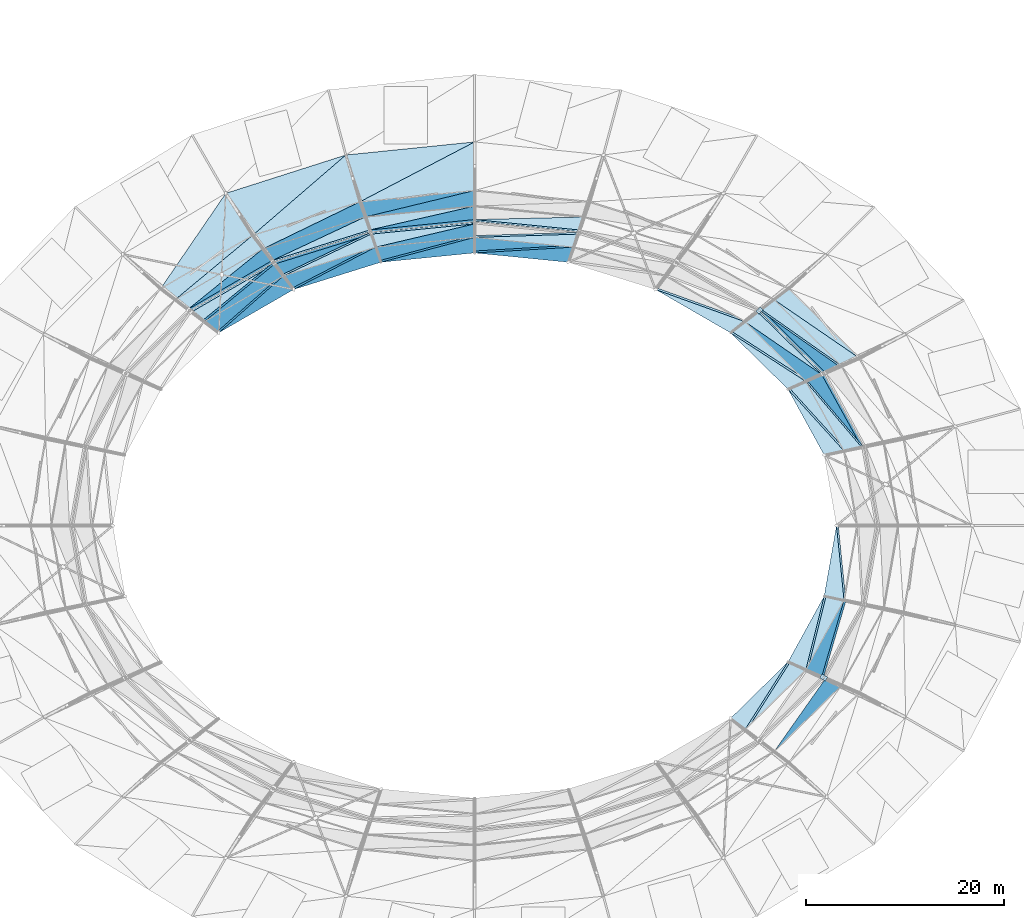
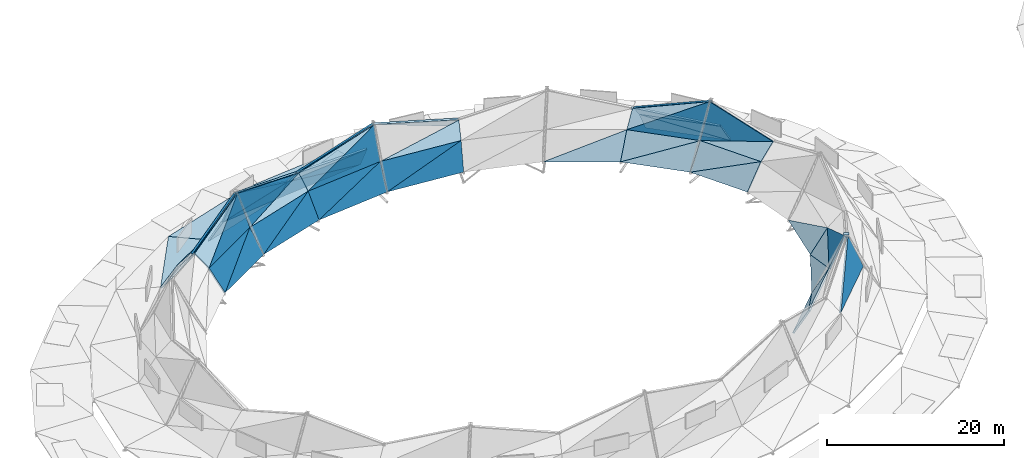
# One storey, part 29 of 36: 53 slabs, 2 plates.
"""IFC4 building model written with IfcOpenShell, lengths in metres."""

from ifc_helpers import new_model, si_unit, direction, frame, origin, origin_2d, place, context, subcontext, project, spatial, polyline, rectangle, outline, extrude, material, layer, layer_set, type_object, element, save


model = new_model("IFC4")

# Units and contexts
model_context = context("Model", 3, precision=1e-05, world=origin(), true_north=direction((0.0, 1.0)))
body_context = subcontext(model_context, "Body", "Model", "MODEL_VIEW")
ifc_project = project(units=[si_unit("LENGTHUNIT", "METRE"), si_unit("AREAUNIT", "SQUARE_METRE"), si_unit("VOLUMEUNIT", "CUBIC_METRE"), si_unit("PLANEANGLEUNIT", "RADIAN"), si_unit("MASSUNIT", "GRAM", prefix="KILO")], contexts=[model_context])

# Site, building, storey
site_placement = place(None, origin())
site = spatial("IfcSite", under=ifc_project, at=site_placement, CompositionType="ELEMENT")
building_placement = place(site_placement, origin())
building = spatial("IfcBuilding", under=site, at=building_placement, Name="Kildeholm Park Wholesale Market", CompositionType="ELEMENT")
storey_placement = place(building_placement, frame((0.0, 0.0, 17.39990234375)))
storey = spatial("IfcBuildingStorey", under=building, at=storey_placement, Name="Roof", CompositionType="ELEMENT", Elevation=17.39990234375)

# Slabs
ifc_material_1 = material(Name="Concrete C35/45", Category="concrete")
ifc_layer_1 = layer(ifc_material_1, 0.219970703125)
ifc_layer_set_1 = layer_set([ifc_layer_1], Name="Concrete C35/45")
slab_type = type_object("IfcSlabType", Name="Slab S-RF2 220 mm", PredefinedType="ROOF", material=ifc_layer_set_1)
slab_1_placement = place(storey_placement, frame((138.048095703125, 97.388916015625, 1.968994140625), z_axis=(-0.759743439922, -0.540192723987, 0.361913976583), x_axis=(-0.462525121936, 0.840188371056, 0.283114840164)))
element("IfcSlab", 1, at=slab_1_placement, inside=storey, type_object=slab_type, Name="Arched gable roof facet 2-UIA SLB-0033", PredefinedType="ROOF", context=body_context, shape_type="SweptSolid", body=[
    extrude(outline(polyline([(0.0, 0.0), (8.745829845295708, 0.0), (7.651609461909472, 4.599549733432193), (0.0, 0.0)])), origin(), (0.0, 0.0, -1.0), 0.219970703125),
])
slab_2_placement = place(storey_placement, frame((138.048095703125, 97.388916015625, 1.968994140625), z_axis=(-0.648844886788, -0.356523570897, 0.672228574433), x_axis=(-0.631869695958, 0.744674270346, -0.214943989017)))
element("IfcSlab", 2, at=slab_2_placement, inside=storey, type_object=slab_type, Name="Arched gable roof facet 2-UIB SLB-0034", PredefinedType="ROOF", context=body_context, shape_type="SweptSolid", body=[
    extrude(outline(polyline([(0.0, 0.0), (8.927652833074252, -1.5543122344752192e-15), (1.271231462348896, 2.3229461798968103), (0.0, 0.0)])), origin(), (0.0, 0.0, -1.0), 0.219970703125),
])
slab_3_placement = place(storey_placement, frame((136.260009765625, 97.02490234375, 0.050048828125), z_axis=(-0.751123464895, -0.412723017999, 0.515240963917), x_axis=(-0.481564964074, 0.876410397803, 0.0)))
element("IfcSlab", 3, at=slab_3_placement, inside=storey, type_object=slab_type, Name="Arched gable roof facet 2-LIA SLB-0035", PredefinedType="ROOF", context=body_context, shape_type="SweptSolid", body=[
    extrude(outline(polyline([(0.0, 0.0), (8.001054128100693, 0.0), (8.176535332462484, 3.7920980051620017), (0.0, 0.0)])), origin(), (0.0, 0.0, -1.0), 0.219970703125),
])
slab_4_placement = place(storey_placement, frame((136.260009765625, 97.02490234375, 0.050048828125), z_axis=(-0.751213217438, -0.412980607002, 0.51490360281), x_axis=(-0.626855409458, 0.690673201554, -0.360586777751)))
element("IfcSlab", 4, at=slab_4_placement, inside=storey, type_object=slab_type, Name="Arched gable roof facet 2-LIB SLB-0036", PredefinedType="ROOF", context=body_context, shape_type="SweptSolid", body=[
    extrude(outline(polyline([(0.0, 0.0), (9.013087003006294, -4.440892098500626e-16), (2.146974648256122, 3.1834375775645114), (0.0, 0.0)])), origin(), (0.0, 0.0, -1.0), 0.219970703125),
])
slab_5_placement = place(storey_placement, frame((137.798095703125, 106.39990234375, -3.0498046875), z_axis=(0.604261591817, 0.614630477949, 0.50704763507), x_axis=(-0.713096204455, 0.701066190307, 0.0)))
element("IfcSlab", 5, at=slab_5_placement, inside=storey, type_object=slab_type, Name="Arched gable roof facet 3-LOA SLB-0041", PredefinedType="ROOF", context=body_context, shape_type="SweptSolid", body=[
    extrude(outline(polyline([(0.0, 0.0), (9.984791873831568, 4.440892098500626e-16), (10.25063231597354, 3.596459752098284), (0.0, 0.0)])), origin(), (0.0, 0.0, -1.0), 0.219970703125),
])
slab_6_placement = place(storey_placement, frame((137.798095703125, 106.39990234375, -3.0498046875), z_axis=(0.604331186978, 0.615032792953, 0.506476534538), x_axis=(-0.790568438229, 0.541826036253, 0.285352572994)))
element("IfcSlab", 6, at=slab_6_placement, inside=storey, type_object=slab_type, Name="Arched gable roof facet 3-LOB SLB-0042", PredefinedType="ROOF", context=body_context, shape_type="SweptSolid", body=[
    extrude(outline(polyline([(0.0, 0.0), (10.863240107156974, 8.881784197001252e-16), (1.8789527778962205, 3.150781233192414), (0.0, 0.0)])), origin(), (0.0, 0.0, -1.0), 0.219970703125),
])
slab_7_placement = place(storey_placement, frame((136.0009765625, 105.613037109375, 0.050048828125), z_axis=(0.534563797385, 0.544029949805, 0.646740257167), x_axis=(-0.713285151676, 0.700873949008, 0.0)))
element("IfcSlab", 7, at=slab_7_placement, inside=storey, type_object=slab_type, Name="Arched gable roof facet 3-UOA SLB-0043", PredefinedType="ROOF", context=body_context, shape_type="SweptSolid", body=[
    extrude(outline(polyline([(0.0, 0.0), (9.52075843586806, -4.440892098500626e-16), (9.754790050993831, 2.4820254090789966), (0.0, 0.0)])), origin(), (0.0, 0.0, -1.0), 0.219970703125),
])
slab_8_placement = place(storey_placement, frame((136.0009765625, 105.613037109375, 0.050048828125), z_axis=(0.593824120531, 0.732754112899, 0.332331647461), x_axis=(-0.803032585481, 0.565479693667, 0.188072812245)))
element("IfcSlab", 8, at=slab_8_placement, inside=storey, type_object=slab_type, Name="Arched gable roof facet 3-UOB SLB-0044", PredefinedType="ROOF", context=body_context, shape_type="SweptSolid", body=[
    extrude(outline(polyline([(0.0, 0.0), (10.065603760842269, 4.440892098500626e-16), (1.7123731678691938, 4.406921162409841), (0.0, 0.0)])), origin(), (0.0, 0.0, -1.0), 0.219970703125),
])
slab_9_placement = place(storey_placement, frame((134.0029296875, 104.737060546875, 4.445068359375), z_axis=(-0.645905319156, -0.401811894131, 0.649117493541), x_axis=(-0.688375568366, 0.67416771811, -0.267650826142)))
element("IfcSlab", 9, at=slab_9_placement, inside=storey, type_object=slab_type, Name="Arched gable roof facet 3-UIA SLB-0045", PredefinedType="ROOF", context=body_context, shape_type="SweptSolid", body=[
    extrude(outline(polyline([(0.0, 0.0), (9.34782515364055, 0.0), (10.082720294728745, 2.382389761345119), (0.0, 0.0)])), origin(), (0.0, 0.0, -1.0), 0.219970703125),
])
slab_10_placement = place(storey_placement, frame((134.0029296875, 104.737060546875, 4.445068359375), z_axis=(-0.657546507773, -0.669571220894, 0.345408410822), x_axis=(-0.745828509274, 0.513596599041, -0.424215002337)))
element("IfcSlab", 10, at=slab_10_placement, inside=storey, type_object=slab_type, Name="Arched gable roof facet 3-UIB SLB-0046", PredefinedType="ROOF", context=body_context, shape_type="SweptSolid", body=[
    extrude(outline(polyline([(0.0, 0.0), (10.360358561203224, 0.0), (2.6952436493512173, 3.884435308814655), (0.0, 0.0)])), origin(), (0.0, 0.0, -1.0), 0.219970703125),
])
slab_11_placement = place(storey_placement, frame((132.406982421875, 104.037109375, 0.050048828125), z_axis=(-0.611189213143, -0.622366179128, 0.488986794111), x_axis=(-0.713484428473, 0.700671085693, 0.0)))
element("IfcSlab", 11, at=slab_11_placement, inside=storey, type_object=slab_type, Name="Arched gable roof facet 3-LIA SLB-0047", PredefinedType="ROOF", context=body_context, shape_type="SweptSolid", body=[
    extrude(outline(polyline([(0.0, 0.0), (8.593184757717129, 0.0), (8.859848567920526, 3.7258200562672688), (0.0, 0.0)])), origin(), (0.0, 0.0, -1.0), 0.219970703125),
])
slab_12_placement = place(storey_placement, frame((132.406982421875, 104.037109375, 0.050048828125), z_axis=(-0.611202955648, -0.622574417163, 0.488704452712), x_axis=(-0.790510760348, 0.510640333385, -0.33814078088)))
element("IfcSlab", 12, at=slab_12_placement, inside=storey, type_object=slab_type, Name="Arched gable roof facet 3-LIB SLB-0048", PredefinedType="ROOF", context=body_context, shape_type="SweptSolid", body=[
    extrude(outline(polyline([(0.0, 0.0), (9.611381364724158, 4.440892098500626e-16), (2.117476766699013, 3.1507289753845518), (0.0, 0.0)])), origin(), (0.0, 0.0, -1.0), 0.219970703125),
])
slab_13_placement = place(storey_placement, frame((126.27587890625, 110.05810546875, 0.050048828125), z_axis=(-0.443676368098, -0.767307585826, 0.463023054636), x_axis=(-0.890894436179, 0.321560599307, -0.320789470771)))
element("IfcSlab", 13, at=slab_13_placement, inside=storey, type_object=slab_type, Name="Arched gable roof facet 4-LIB SLB-0060", PredefinedType="ROOF", context=body_context, shape_type="SweptSolid", body=[
    extrude(outline(polyline([(0.0, 0.0), (10.131255219144613, 0.0), (1.9914180750086374, 3.160237131907116), (0.0, 0.0)])), origin(), (0.0, 0.0, -1.0), 0.219970703125),
])
slab_14_placement = place(storey_placement, frame((110.05810546875, 120.626953125, 0.050048828125), z_axis=(0.212886979308, 0.771718054416, 0.599274877272), x_axis=(-0.932959131402, -0.021668940836, 0.359329536966)))
element("IfcSlab", 14, at=slab_14_placement, inside=storey, type_object=slab_type, Name="Arched gable roof facet 6-UOB SLB-0080", PredefinedType="ROOF", context=body_context, shape_type="SweptSolid", body=[
    extrude(outline(polyline([(0.0, 0.0), (11.852722264615474, 0.0), (1.1287202164394903, 2.0288163988155743), (0.0, 0.0)])), origin(), (0.0, 0.0, -1.0), 0.219970703125),
])
slab_15_placement = place(storey_placement, frame((109.447998046875, 118.89892578125, 1.906982421875), z_axis=(-0.079801004243, -0.803986762141, 0.589268263208), x_axis=(-0.984111911654, -0.030515632825, -0.174907236828)))
element("IfcSlab", 15, at=slab_15_placement, inside=storey, type_object=slab_type, Name="Arched gable roof facet 6-UIB SLB-0082", PredefinedType="ROOF", context=body_context, shape_type="SweptSolid", body=[
    extrude(outline(polyline([(0.0, 0.0), (10.616676744943344, 2.220446049250313e-16), (0.8216548793364681, 2.17199352154295), (0.0, 0.0)])), origin(), (0.0, 0.0, -1.0), 0.219970703125),
])
slab_16_placement = place(storey_placement, frame((108.98388671875, 117.583984375, 0.050048828125), z_axis=(-0.088967003998, -0.896333249935, 0.434363416116), x_axis=(-0.995110163253, 0.098771266021, 0.0)))
element("IfcSlab", 16, at=slab_16_placement, inside=storey, type_object=slab_type, Name="Arched gable roof facet 6-LIA SLB-0083", PredefinedType="ROOF", context=body_context, shape_type="SweptSolid", body=[
    extrude(outline(polyline([(0.0, 0.0), (10.03294618770286, 5.551115123125783e-17), (9.877386266536291, 3.608153586630853), (0.0, 0.0)])), origin(), (0.0, 0.0, -1.0), 0.219970703125),
])
slab_17_placement = place(storey_placement, frame((108.98388671875, 117.583984375, 0.050048828125), z_axis=(-0.088911672153, -0.896414057833, 0.434207958787), x_axis=(-0.94941992973, -0.055534124124, -0.309059473384)))
element("IfcSlab", 17, at=slab_17_placement, inside=storey, type_object=slab_type, Name="Arched gable roof facet 6-LIB SLB-0084", PredefinedType="ROOF", context=body_context, shape_type="SweptSolid", body=[
    extrude(outline(polyline([(0.0, 0.0), (10.515775376218189, -4.440892098500626e-16), (1.5986210274555035, 3.2570790914038907), (0.0, 0.0)])), origin(), (0.0, 0.0, -1.0), 0.219970703125),
])
slab_18_placement = place(storey_placement, frame((99.0, 128.199951171875, -4.199951171875), z_axis=(-0.023301376591, 0.22955867471, 0.973015858408), x_axis=(-0.994887827563, -0.100986189979, 0.0)))
element("IfcSlab", 18, at=slab_18_placement, inside=storey, type_object=slab_type, Name="Upper white ceramic rim band 2 sector 7A SLB-0087", PredefinedType="ROOF", context=body_context, shape_type="SweptSolid", body=[
    extrude(outline(polyline([(0.0, 0.0), (13.059683274744929, -2.220446049250313e-16), (12.146863832483524, 4.984637320566036), (0.0, 0.0)])), origin(), (0.0, 0.0, -1.0), 0.219970703125),
])
slab_19_placement = place(storey_placement, frame((99.0, 128.199951171875, -4.199951171875), z_axis=(-0.022700106567, 0.228458605886, 0.973288945051), x_axis=(-0.883100143021, -0.460934652377, 0.087597851763)))
element("IfcSlab", 19, at=slab_19_placement, inside=storey, type_object=slab_type, Name="Upper white ceramic rim band 2 sector 7B SLB-0088", PredefinedType="ROOF", context=body_context, shape_type="SweptSolid", body=[
    extrude(outline(polyline([(0.0, 0.0), (13.129848063952455, -7.216449660063518e-16), (2.359285144743097, 4.445858018380868), (0.0, 0.0)])), origin(), (0.0, 0.0, -1.0), 0.219970703125),
])
slab_20_placement = place(storey_placement, frame((99.0, 123.300048828125, -3.0498046875), z_axis=(-0.088245629406, 0.888122415208, 0.451055744334), x_axis=(-0.995099849345, -0.098875122419, 0.0)))
element("IfcSlab", 20, at=slab_20_placement, inside=storey, type_object=slab_type, Name="Arched gable roof facet 7-LOA SLB-0089", PredefinedType="ROOF", context=body_context, shape_type="SweptSolid", body=[
    extrude(outline(polyline([(0.0, 0.0), (11.652067589756296, 0.0), (11.268221750879924, 3.473241654045), (0.0, 0.0)])), origin(), (0.0, 0.0, -1.0), 0.219970703125),
])
slab_21_placement = place(storey_placement, frame((99.0, 123.300048828125, -3.0498046875), z_axis=(-0.088189968471, 0.888056120922, 0.451197136022), x_axis=(-0.937814056034, -0.226699476741, 0.262891885668)))
element("IfcSlab", 21, at=slab_21_placement, inside=storey, type_object=slab_type, Name="Arched gable roof facet 7-LOB SLB-0090", PredefinedType="ROOF", context=body_context, shape_type="SweptSolid", body=[
    extrude(outline(polyline([(0.0, 0.0), (11.791362474896474, 0.0), (1.1719669425754593, 3.2735388339889044), (0.0, 0.0)])), origin(), (0.0, 0.0, -1.0), 0.219970703125),
])
slab_22_placement = place(storey_placement, frame((99.0, 121.72509765625, 0.050048828125), z_axis=(-0.079860475444, 0.804179718709, 0.588996845899), x_axis=(-0.995105258288, -0.098820670548, 0.0)))
element("IfcSlab", 22, at=slab_22_placement, inside=storey, type_object=slab_type, Name="Arched gable roof facet 7-UOA SLB-0091", PredefinedType="ROOF", context=body_context, shape_type="SweptSolid", body=[
    extrude(outline(polyline([(0.0, 0.0), (11.11249827759325, -1.1102230246251565e-16), (10.78050554148026, 2.2978002807621065), (0.0, 0.0)])), origin(), (0.0, 0.0, -1.0), 0.219970703125),
])
slab_23_placement = place(storey_placement, frame((99.0, 121.72509765625, 0.050048828125), z_axis=(-0.161675292119, 0.940399716802, 0.299181337246), x_axis=(-0.9611098861, -0.218831739559, 0.168465001122)))
element("IfcSlab", 23, at=slab_23_placement, inside=storey, type_object=slab_type, Name="Arched gable roof facet 7-UOB SLB-0092", PredefinedType="ROOF", context=body_context, shape_type="SweptSolid", body=[
    extrude(outline(polyline([(0.0, 0.0), (11.022666912329203, 4.440892098500626e-16), (1.0140107663864273, 4.352828742515329), (0.0, 0.0)])), origin(), (0.0, 0.0, -1.0), 0.219970703125),
])
slab_24_placement = place(storey_placement, frame((99.0, 119.929931640625, 4.30908203125), z_axis=(-0.049781136713, -0.820918663081, 0.568871151521), x_axis=(-0.970098530219, -0.095729082676, -0.223035388219)))
element("IfcSlab", 24, at=slab_24_placement, inside=storey, type_object=slab_type, Name="Arched gable roof facet 7-UIA SLB-0093", PredefinedType="ROOF", context=body_context, shape_type="SweptSolid", body=[
    extrude(outline(polyline([(0.0, 0.0), (10.770038013067964, -2.220446049250313e-16), (10.859844335367345, 2.3204756889131652), (0.0, 0.0)])), origin(), (0.0, 0.0, -1.0), 0.219970703125),
])
slab_25_placement = place(storey_placement, frame((99.0, 119.929931640625, 4.30908203125), z_axis=(0.094164975519, -0.948702268751, 0.301822733824), x_axis=(-0.899045002925, -0.211251612293, -0.383524235243)))
element("IfcSlab", 25, at=slab_25_placement, inside=storey, type_object=slab_type, Name="Arched gable roof facet 7-UIB SLB-0094", PredefinedType="ROOF", context=body_context, shape_type="SweptSolid", body=[
    extrude(outline(polyline([(0.0, 0.0), (11.104991058584751, 0.0), (1.9196842607523337, 4.03610557778596), (0.0, 0.0)])), origin(), (0.0, 0.0, -1.0), 0.219970703125),
])
slab_26_placement = place(storey_placement, frame((99.0, 118.574951171875, 0.050048828125), z_axis=(0.088974119062, -0.896404933462, 0.434214004153), x_axis=(-0.995110163253, -0.098771266021, 0.0)))
element("IfcSlab", 26, at=slab_26_placement, inside=storey, type_object=slab_type, Name="Arched gable roof facet 7-LIA SLB-0095", PredefinedType="ROOF", context=body_context, shape_type="SweptSolid", body=[
    extrude(outline(polyline([(0.0, 0.0), (10.03294618770286, -5.551115123125783e-17), (9.648936846471212, 3.6078650505430656), (0.0, 0.0)])), origin(), (0.0, 0.0, -1.0), 0.219970703125),
])
slab_27_placement = place(storey_placement, frame((99.0, 118.574951171875, 0.050048828125), z_axis=(0.088904158013, -0.896338299716, 0.434365863241), x_axis=(-0.917062634957, -0.243846942785, -0.315491350214)))
element("IfcSlab", 27, at=slab_27_placement, inside=storey, type_object=slab_type, Name="Arched gable roof facet 7-LIB SLB-0096", PredefinedType="ROOF", context=body_context, shape_type="SweptSolid", body=[
    extrude(outline(polyline([(0.0, 0.0), (10.301391774421548, 0.0), (1.409393916494514, 3.325143603205535), (0.0, 0.0)])), origin(), (0.0, 0.0, -1.0), 0.219970703125),
])
slab_28_placement = place(storey_placement, frame((86.007080078125, 126.881103515625, -4.199951171875), z_axis=(-0.070011109766, 0.219242292525, 0.973155312207), x_axis=(-0.952608649326, -0.304198555599, 0.0)))
element("IfcSlab", 28, at=slab_28_placement, inside=storey, type_object=slab_type, Name="Upper white ceramic rim band 2 sector 8A SLB-0099", PredefinedType="ROOF", context=body_context, shape_type="SweptSolid", body=[
    extrude(outline(polyline([(0.0, 0.0), (12.709498011526277, -4.440892098500626e-16), (11.4279587137269, 4.997391134662843), (0.0, 0.0)])), origin(), (0.0, 0.0, -1.0), 0.219970703125),
])
slab_29_placement = place(storey_placement, frame((86.007080078125, 126.881103515625, -4.199951171875), z_axis=(-0.067695227666, 0.216660955365, 0.973897010249), x_axis=(-0.754196293555, -0.650142220301, 0.092211952426)))
element("IfcSlab", 29, at=slab_29_placement, inside=storey, type_object=slab_type, Name="Upper white ceramic rim band 2 sector 8B SLB-0100", PredefinedType="ROOF", context=body_context, shape_type="SweptSolid", body=[
    extrude(outline(polyline([(0.0, 0.0), (12.472856870639276, -7.494005416219807e-16), (2.1289525771393296, 4.598631261151734), (0.0, 0.0)])), origin(), (0.0, 0.0, -1.0), 0.219970703125),
])
slab_30_placement = place(storey_placement, frame((87.405029296875, 122.14794921875, -3.0498046875), z_axis=(-0.264620714116, 0.846927895908, 0.461182194793), x_axis=(-0.95449417592, -0.298229556107, 0.0)))
element("IfcSlab", 30, at=slab_30_placement, inside=storey, type_object=slab_type, Name="Arched gable roof facet 8-LOA SLB-0101", PredefinedType="ROOF", context=body_context, shape_type="SweptSolid", body=[
    extrude(outline(polyline([(0.0, 0.0), (11.320060313846767, -4.440892098500626e-16), (10.737167678309149, 3.4935584731167912), (0.0, 0.0)])), origin(), (0.0, 0.0, -1.0), 0.219970703125),
])
slab_31_placement = place(storey_placement, frame((87.405029296875, 122.14794921875, -3.0498046875), z_axis=(-0.264538763861, 0.84686512581, 0.461344449518), x_axis=(-0.865102590188, -0.419794221157, 0.274536555551)))
element("IfcSlab", 31, at=slab_31_placement, inside=storey, type_object=slab_type, Name="Arched gable roof facet 8-LOB SLB-0102", PredefinedType="ROOF", context=body_context, shape_type="SweptSolid", body=[
    extrude(outline(polyline([(0.0, 0.0), (11.291223164795426, 4.440892098500626e-16), (1.0250849726127016, 3.3406505375958693), (0.0, 0.0)])), origin(), (0.0, 0.0, -1.0), 0.219970703125),
])
slab_32_placement = place(storey_placement, frame((87.94189453125, 120.626953125, 0.050048828125), z_axis=(-0.283519655185, 0.907628450944, 0.309559687556), x_axis=(-0.954514174424, -0.298165542651, 0.0)))
element("IfcSlab", 32, at=slab_32_placement, inside=storey, type_object=slab_type, Name="Arched gable roof facet 8-UOA SLB-0103", PredefinedType="ROOF", context=body_context, shape_type="SweptSolid", body=[
    extrude(outline(polyline([(0.0, 0.0), (10.795996452173016, 0.0), (10.286641507867474, 4.537840048741002), (0.0, 0.0)])), origin(), (0.0, 0.0, -1.0), 0.219970703125),
])
slab_33_placement = place(storey_placement, frame((87.94189453125, 120.626953125, 0.050048828125), z_axis=(-0.103373457436, 0.799568902247, 0.591610935377), x_axis=(-0.836060689353, -0.392059522785, 0.383786209122)))
element("IfcSlab", 33, at=slab_33_placement, inside=storey, type_object=slab_type, Name="Arched gable roof facet 8-UOB SLB-0104", PredefinedType="ROOF", context=body_context, shape_type="SweptSolid", body=[
    extrude(outline(polyline([(0.0, 0.0), (11.243086134124374, 0.0), (0.8397926972051458, 2.1644522477576427), (0.0, 0.0)])), origin(), (0.0, 0.0, -1.0), 0.219970703125),
])
slab_34_placement = place(storey_placement, frame((88.552001953125, 118.89892578125, 1.906982421875), z_axis=(0.353586747877, -0.880168697571, 0.316669347335), x_axis=(-0.928342183924, -0.288683692333, 0.234184788849)))
element("IfcSlab", 34, at=slab_34_placement, inside=storey, type_object=slab_type, Name="Arched gable roof facet 8-UIA SLB-0105", PredefinedType="ROOF", context=body_context, shape_type="SweptSolid", body=[
    extrude(outline(polyline([(0.0, 0.0), (10.496018228092371, 0.0), (8.988809119186357, 4.31037279362763), (0.0, 0.0)])), origin(), (0.0, 0.0, -1.0), 0.219970703125),
])
slab_35_placement = place(storey_placement, frame((88.552001953125, 118.89892578125, 1.906982421875), z_axis=(0.238330945797, -0.763500548174, 0.600221020303), x_axis=(-0.886672973797, -0.42321766773, -0.186273571018)))
element("IfcSlab", 35, at=slab_35_placement, inside=storey, type_object=slab_type, Name="Arched gable roof facet 8-UIB SLB-0106", PredefinedType="ROOF", context=body_context, shape_type="SweptSolid", body=[
    extrude(outline(polyline([(0.0, 0.0), (9.968851639041134, 2.220446049250313e-16), (0.49088911532453183, 2.2697357720267504), (0.0, 0.0)])), origin(), (0.0, 0.0, -1.0), 0.219970703125),
])
slab_36_placement = place(storey_placement, frame((89.01611328125, 117.583984375, 0.050048828125), z_axis=(0.266973008316, -0.85525628036, 0.444141990512), x_axis=(-0.954573536026, -0.297975442477, 0.0)))
element("IfcSlab", 36, at=slab_36_placement, inside=storey, type_object=slab_type, Name="Arched gable roof facet 8-LIA SLB-0107", PredefinedType="ROOF", context=body_context, shape_type="SweptSolid", body=[
    extrude(outline(polyline([(0.0, 0.0), (9.745946545913036, 0.0), (9.16239195999539, 3.627408606433703), (0.0, 0.0)])), origin(), (0.0, 0.0, -1.0), 0.219970703125),
])
slab_37_placement = place(storey_placement, frame((89.01611328125, 117.583984375, 0.050048828125), z_axis=(0.266873986398, -0.855196883004, 0.444315841136), x_axis=(-0.838831869335, -0.43311650835, -0.329804768285)))
element("IfcSlab", 37, at=slab_37_placement, inside=storey, type_object=slab_type, Name="Arched gable roof facet 8-LIB SLB-0108", PredefinedType="ROOF", context=body_context, shape_type="SweptSolid", body=[
    extrude(outline(polyline([(0.0, 0.0), (9.854314772048712, 4.440892098500626e-16), (1.2802943461324319, 3.394849007591444), (0.0, 0.0)])), origin(), (0.0, 0.0, -1.0), 0.219970703125),
])
slab_38_placement = place(storey_placement, frame((73.89990234375, 123.014892578125, -4.199951171875), z_axis=(-0.111800792124, 0.193090597304, 0.974790543714), x_axis=(-0.561905513614, -0.821345983842, 0.098249522126)))
element("IfcSlab", 38, at=slab_38_placement, inside=storey, type_object=slab_type, Name="Upper white ceramic rim band 2 sector 9B SLB-0112", PredefinedType="ROOF", context=body_context, shape_type="SweptSolid", body=[
    extrude(outline(polyline([(0.0, 0.0), (11.706382478920583, -1.27675647831893e-15), (2.0806519461306276, 4.7209266678983415), (0.0, 0.0)])), origin(), (0.0, 0.0, -1.0), 0.219970703125),
])
slab_39_placement = place(storey_placement, frame((76.60009765625, 118.77197265625, -3.0498046875), z_axis=(-0.439364266446, 0.758823860105, 0.480775821674), x_axis=(-0.865403937833, -0.501074869039, 0.0)))
element("IfcSlab", 39, at=slab_39_placement, inside=storey, type_object=slab_type, Name="Arched gable roof facet 9-LOA SLB-0113", PredefinedType="ROOF", context=body_context, shape_type="SweptSolid", body=[
    extrude(outline(polyline([(0.0, 0.0), (10.721093082963066, 0.0), (10.008869144787349, 3.535241286111961), (0.0, 0.0)])), origin(), (0.0, 0.0, -1.0), 0.219970703125),
])
slab_40_placement = place(storey_placement, frame((76.60009765625, 118.77197265625, -3.0498046875), z_axis=(-0.439322936979, 0.758805780138, 0.480842120736), x_axis=(-0.735766063095, -0.611037730486, 0.292029437422)))
element("IfcSlab", 40, at=slab_40_placement, inside=storey, type_object=slab_type, Name="Arched gable roof facet 9-LOB SLB-0114", PredefinedType="ROOF", context=body_context, shape_type="SweptSolid", body=[
    extrude(outline(polyline([(0.0, 0.0), (10.614866579873096, 4.440892098500626e-16), (0.9758220452152311, 3.40477399627671), (0.0, 0.0)])), origin(), (0.0, 0.0, -1.0), 0.219970703125),
])
slab_41_placement = place(storey_placement, frame((77.636962890625, 117.407958984375, 0.050048828125), z_axis=(-0.393086162516, 0.678944865162, 0.620094459667), x_axis=(-0.865419200012, -0.501048508879, 0.0)))
element("IfcSlab", 41, at=slab_41_placement, inside=storey, type_object=slab_type, Name="Arched gable roof facet 9-UOA SLB-0115", PredefinedType="ROOF", context=body_context, shape_type="SweptSolid", body=[
    extrude(outline(polyline([(0.0, 0.0), (10.22270343435824, -4.440892098500626e-16), (9.596095646812316, 2.413003027096928), (0.0, 0.0)])), origin(), (0.0, 0.0, -1.0), 0.219970703125),
])
slab_42_placement = place(storey_placement, frame((77.636962890625, 117.407958984375, 0.050048828125), z_axis=(-0.542913491604, 0.77350519885, 0.32700863595), x_axis=(-0.763523236157, -0.616789589835, 0.191318764684)))
element("IfcSlab", 42, at=slab_42_placement, inside=storey, type_object=slab_type, Name="Arched gable roof facet 9-UOB SLB-0116", PredefinedType="ROOF", context=body_context, shape_type="SweptSolid", body=[
    extrude(outline(polyline([(0.0, 0.0), (9.894828713603347, 0.0), (0.8678595002673851, 4.483107700584706), (0.0, 0.0)])), origin(), (0.0, 0.0, -1.0), 0.219970703125),
])
slab_43_placement = place(storey_placement, frame((78.80810546875, 115.868896484375, 4.364990234375), z_axis=(0.272819813216, -0.765408915568, 0.582853790831), x_axis=(-0.840341411198, -0.484551404522, -0.24297376196)))
element("IfcSlab", 43, at=slab_43_placement, inside=storey, type_object=slab_type, Name="Arched gable roof facet 9-UIA SLB-0117", PredefinedType="ROOF", context=body_context, shape_type="SweptSolid", body=[
    extrude(outline(polyline([(0.0, 0.0), (9.967640046656408, 4.440892098500626e-16), (9.817009920712513, 2.4886065194231124), (0.0, 0.0)])), origin(), (0.0, 0.0, -1.0), 0.219970703125),
])
slab_44_placement = place(storey_placement, frame((78.80810546875, 115.868896484375, 4.364990234375), z_axis=(0.473608413625, -0.818626301339, 0.324878514678), x_axis=(-0.69947805502, -0.573761965382, -0.426060626703)))
element("IfcSlab", 44, at=slab_44_placement, inside=storey, type_object=slab_type, Name="Arched gable roof facet 9-UIB SLB-0118", PredefinedType="ROOF", context=body_context, shape_type="SweptSolid", body=[
    extrude(outline(polyline([(0.0, 0.0), (10.127529125699077, -4.440892098500626e-16), (1.8877320839500038, 4.157819199681524), (0.0, 0.0)])), origin(), (0.0, 0.0, -1.0), 0.219970703125),
])
slab_45_placement = place(storey_placement, frame((79.712890625, 114.679931640625, 0.050048828125), z_axis=(0.443848322684, -0.767186351215, 0.463059141968), x_axis=(-0.865578978323, -0.500772435628, 0.0)))
element("IfcSlab", 45, at=slab_45_placement, inside=storey, type_object=slab_type, Name="Arched gable roof facet 9-LIA SLB-0119", PredefinedType="ROOF", context=body_context, shape_type="SweptSolid", body=[
    extrude(outline(polyline([(0.0, 0.0), (9.229394118058728, -4.440892098500626e-16), (8.517143881795343, 3.66681664121597), (0.0, 0.0)])), origin(), (0.0, 0.0, -1.0), 0.219970703125),
])
slab_46_placement = place(storey_placement, frame((79.712890625, 114.679931640625, 0.050048828125), z_axis=(0.443554090084, -0.767096114461, 0.46349036705), x_axis=(-0.703334397128, -0.618451934886, -0.350482424742)))
element("IfcSlab", 46, at=slab_46_placement, inside=storey, type_object=slab_type, Name="Arched gable roof facet 9-LIB SLB-0120", PredefinedType="ROOF", context=body_context, shape_type="SweptSolid", body=[
    extrude(outline(polyline([(0.0, 0.0), (9.272932879272997, 0.0), (1.2532100779725999, 3.4537072332846517), (0.0, 0.0)])), origin(), (0.0, 0.0, -1.0), 0.219970703125),
])
slab_47_placement = place(storey_placement, frame((129.2099609375, 66.714111328125, 0.050048828125), z_axis=(0.657727945728, -0.669375111166, 0.345443063267), x_axis=(0.713285151676, 0.700873949008, 0.0)))
element("IfcSlab", 47, at=slab_47_placement, inside=storey, type_object=slab_type, Name="Arched gable roof facet 22-UOA SLB-0271", PredefinedType="ROOF", context=body_context, shape_type="SweptSolid", body=[
    extrude(outline(polyline([(0.0, 0.0), (9.52075843586806, 0.0), (8.872970490384567, 4.683326464749211), (0.0, 0.0)])), origin(), (0.0, 0.0, -1.0), 0.219970703125),
])
slab_48_placement = place(storey_placement, frame((126.27587890625, 68.94189453125, 0.050048828125), z_axis=(-0.611290927896, 0.622469753964, 0.488727743096), x_axis=(0.713484428473, 0.700671085693, 0.0)))
element("IfcSlab", 48, at=slab_48_placement, inside=storey, type_object=slab_type, Name="Arched gable roof facet 22-LIA SLB-0275", PredefinedType="ROOF", context=body_context, shape_type="SweptSolid", body=[
    extrude(outline(polyline([(0.0, 0.0), (8.593184757717129, 0.0), (7.862647205644596, 3.7252001045379783), (0.0, 0.0)])), origin(), (0.0, 0.0, -1.0), 0.219970703125),
])
slab_49_placement = place(storey_placement, frame((126.27587890625, 68.94189453125, 0.050048828125), z_axis=(-0.611095455243, 0.622464916707, 0.488978294048), x_axis=(0.498159751477, 0.78249776543, -0.37354264697)))
element("IfcSlab", 49, at=slab_49_placement, inside=storey, type_object=slab_type, Name="Arched gable roof facet 22-LIB SLB-0276", PredefinedType="ROOF", context=body_context, shape_type="SweptSolid", body=[
    extrude(outline(polyline([(0.0, 0.0), (8.700479118949747, -4.440892098500626e-16), (1.35426348686247, 3.4812088543359088), (0.0, 0.0)])), origin(), (0.0, 0.0, -1.0), 0.219970703125),
])
slab_50_placement = place(storey_placement, frame((134.0029296875, 74.262939453125, 4.445068359375), z_axis=(-0.815140648615, 0.447898813329, 0.367331425275), x_axis=(0.246431981915, 0.842027028308, -0.47985598036)))
element("IfcSlab", 50, at=slab_50_placement, inside=storey, type_object=slab_type, Name="Arched gable roof facet 23-UIB SLB-0286", PredefinedType="ROOF", context=body_context, shape_type="SweptSolid", body=[
    extrude(outline(polyline([(0.0, 0.0), (9.15903877648555, 0.0), (2.3050617633865365, 4.127937289338032), (0.0, 0.0)])), origin(), (0.0, 0.0, -1.0), 0.219970703125),
])
slab_51_placement = place(storey_placement, frame((132.406982421875, 74.962890625, 0.050048828125), z_axis=(-0.751287913876, 0.412813378483, 0.514928718376), x_axis=(0.481564964074, 0.876410397803, 0.0)))
element("IfcSlab", 51, at=slab_51_placement, inside=storey, type_object=slab_type, Name="Arched gable roof facet 23-LIA SLB-0287", PredefinedType="ROOF", context=body_context, shape_type="SweptSolid", body=[
    extrude(outline(polyline([(0.0, 0.0), (8.001054128100693, 0.0), (7.392726713066708, 3.791267955001648), (0.0, 0.0)])), origin(), (0.0, 0.0, -1.0), 0.219970703125),
])
slab_52_placement = place(storey_placement, frame((132.406982421875, 74.962890625, 0.050048828125), z_axis=(-0.751039385042, 0.412885042379, 0.515233717739), x_axis=(0.222565896526, 0.892996439072, -0.391179986078)))
element("IfcSlab", 52, at=slab_52_placement, inside=storey, type_object=slab_type, Name="Arched gable roof facet 23-LIB SLB-0288", PredefinedType="ROOF", context=body_context, shape_type="SweptSolid", body=[
    extrude(outline(polyline([(0.0, 0.0), (8.308196011211606, 0.0), (1.5742977284687767, 3.4543288198977153), (0.0, 0.0)])), origin(), (0.0, 0.0, -1.0), 0.219970703125),
])
slab_53_placement = place(storey_placement, frame((136.260009765625, 81.97509765625, 0.050048828125), z_axis=(-0.833859310223, 0.145721597859, 0.53239446529), x_axis=(-0.092324888156, 0.914114263654, -0.394805303931)))
element("IfcSlab", 53, at=slab_53_placement, inside=storey, type_object=slab_type, Name="Arched gable roof facet 24-LIB SLB-0300", PredefinedType="ROOF", context=body_context, shape_type="SweptSolid", body=[
    extrude(outline(polyline([(0.0, 0.0), (8.231905619406701, -4.440892098500626e-16), (1.8401560950744933, 3.370103929593937), (0.0, 0.0)])), origin(), (0.0, 0.0, -1.0), 0.219970703125),
])

# Plates
ifc_material_2 = material(Name="Steel S355", Category="steel")
ifc_layer_2 = layer(ifc_material_2, 0.033935546875)
ifc_layer_set_2 = layer_set([ifc_layer_2], Name="Steel S355")
plate_type_1 = type_object("IfcPlateType", Name="Steel connection plate GP-04 600x420x34", PredefinedType="SHEET", material=ifc_layer_set_2)
plate_1_placement = place(storey_placement, frame((127.742919921875, 111.172119140625, 1.84326171875), z_axis=(0.0, 0.0, 1.0), x_axis=(0.707106781187, 0.707106781187, 0.0)))
element("IfcPlate", 54, at=plate_1_placement, inside=storey, type_object=plate_type_1, Name="Arch crown gusset plate TR-04 PLT-0021", PredefinedType="SHEET", context=body_context, shape_type="SweptSolid", body=[
    extrude(rectangle(XDim=0.60009765625, YDim=0.419921875, at=origin_2d()), origin(), (0.0, 0.0, 1.0), 0.033935546875),
])
ifc_layer_3 = layer(ifc_material_2, 0.035888671875)
ifc_layer_set_3 = layer_set([ifc_layer_3], Name="Steel S355")
plate_type_2 = type_object("IfcPlateType", Name="Steel connection plate GP-05 660x460x36", PredefinedType="SHEET", material=ifc_layer_set_3)
plate_2_placement = place(storey_placement, frame((134.2041015625, 74.175048828125, 4.64208984375), z_axis=(0.0, 0.0, 1.0), x_axis=(0.866025403784, -0.5, 0.0)))
element("IfcPlate", 55, at=plate_2_placement, inside=storey, type_object=plate_type_2, Name="Arch crown gusset plate TR-23 PLT-0122", PredefinedType="SHEET", context=body_context, shape_type="SweptSolid", body=[
    extrude(rectangle(XDim=0.659912109375, YDim=0.4599609375, at=origin_2d()), origin(), (0.0, 0.0, 1.0), 0.035888671875),
])

save(model, "model.ifc")
